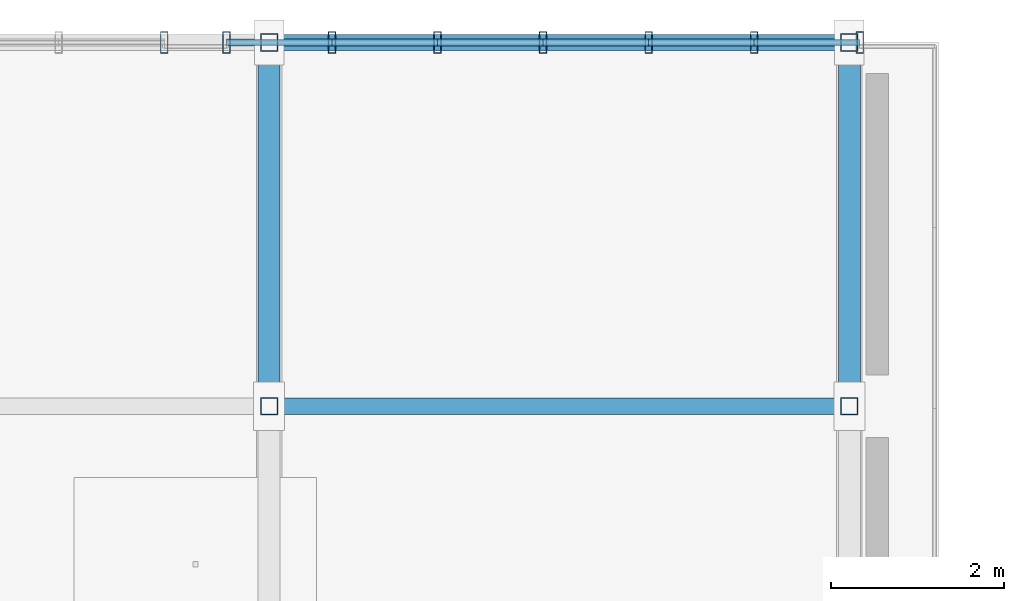
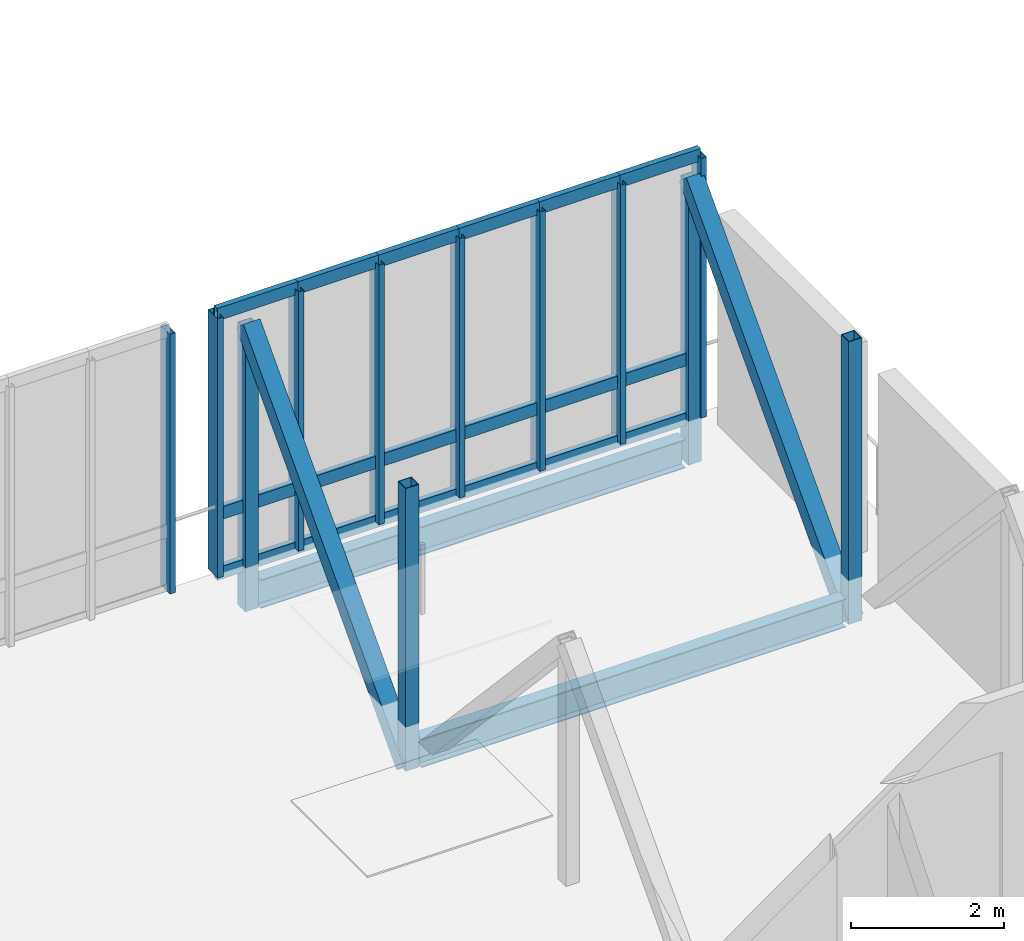
# One storey, part 72 of 139: 32 members, 2 beams, 2 elements without a shape of their own.
"""IFC4 building model written with IfcOpenShell, lengths in metres."""

from ifc_helpers import new_model, si_unit, derived_unit, direction, frame, origin, origin_2d, place, context, subcontext, project, spatial, hollow_rectangle, i_section, extrude, material, layer, layer_set, material_profile, profile_set, type_object, element, aggregate, save


model = new_model("IFC4")

# Units and contexts
model_context = context("Model", 3, precision=1e-05, world=origin(), true_north=direction((0.0, 1.0)))
body_context = subcontext(model_context, "Body", "Model", "MODEL_VIEW")
ifc_project = project(units=[si_unit("LENGTHUNIT", "METRE"), si_unit("AREAUNIT", "SQUARE_METRE"), si_unit("VOLUMEUNIT", "CUBIC_METRE"), si_unit("PLANEANGLEUNIT", "RADIAN"), si_unit("MASSUNIT", "GRAM", prefix="KILO"), derived_unit("THERMALTRANSMITTANCEUNIT", [(si_unit("MASSUNIT", "GRAM", prefix="KILO"), 1), (si_unit("TIMEUNIT", "SECOND"), -3), (si_unit("THERMODYNAMICTEMPERATUREUNIT", "KELVIN"), -1)])], contexts=[model_context])

# Site, building, storey
site_placement = place(None, origin())
site = spatial("IfcSite", under=ifc_project, at=site_placement, CompositionType="ELEMENT")
building_placement = place(site_placement, origin())
building = spatial("IfcBuilding", under=site, at=building_placement, Name="Makaiwela Harbour Ferry Terminal", CompositionType="ELEMENT")
storey_placement = place(building_placement, frame((0.0, 0.0, 5.10009765625)))
storey = spatial("IfcBuildingStorey", under=building, at=storey_placement, Name="L01", CompositionType="ELEMENT", Elevation=5.10009765625)

# Curtain wall, member
ifc_material_1 = material(Name="Marine anodised aluminium 6063-T6", Category="aluminium")
ifc_layer = layer(ifc_material_1, 0.199951171875)
ifc_layer_set = layer_set([ifc_layer], Name="Marine anodised aluminium 6063-T6")
curtain_wall_type = type_object("IfcCurtainWallType", Name="ENV-CW-20", PredefinedType="USERDEFINED", material=ifc_layer_set)
curtain_wall_1_placement = place(storey_placement, origin())
curtain_wall_1 = element("IfcCurtainWall", 1, at=curtain_wall_1_placement, inside=storey, type_object=curtain_wall_type, Name="Unitised Curtain Wall CWA-132", ObjectType="UNITIZED CURTAIN WALL", PredefinedType="USERDEFINED")
ifc_material_profile_1 = material_profile(ifc_material_1, hollow_rectangle(XDim=0.0849609375, YDim=0.25, WallThickness=0.0048828125, at=origin_2d()), Name="CWM-250X85")
ifc_profile_set_1 = profile_set([ifc_material_profile_1], Name="Marine anodised aluminium 6063-T6")
member_type_1 = type_object("IfcMemberType", Name="CW-MUL-250", PredefinedType="MULLION", material=ifc_profile_set_1)
member_1_placement = place(storey_placement, frame((96.239990234375, 116.0, 0.0), z_axis=(0.0, 0.0, 1.0), x_axis=(1.0, 0.0, 0.0)))
member_1 = element("IfcMember", 2, at=member_1_placement, type_object=member_type_1, Name="Curtain Wall Mullion CWA-132-7", PredefinedType="MULLION", context=body_context, shape_type="SweptSolid", body=[
    extrude(hollow_rectangle(XDim=0.0849609375, YDim=0.25, WallThickness=0.0048828125, at=origin_2d()), origin(), (0.0, 0.0, 1.0), 4.14990234375),
])
aggregate(curtain_wall_1, [member_1])

# Curtain wall, members
curtain_wall_2_placement = place(storey_placement, origin())
curtain_wall_2 = element("IfcCurtainWall", 3, at=curtain_wall_2_placement, inside=storey, type_object=curtain_wall_type, Name="Unitised Curtain Wall CWA-133", ObjectType="UNITIZED CURTAIN WALL", PredefinedType="USERDEFINED")
member_2_placement = place(storey_placement, frame((96.9599609375, 116.0, 0.0), z_axis=(0.0, 0.0, 1.0), x_axis=(1.0, 0.0, 0.0)))
member_2 = element("IfcMember", 4, at=member_2_placement, type_object=member_type_1, Name="Curtain Wall Mullion CWA-133-1", PredefinedType="MULLION", context=body_context, shape_type="SweptSolid", body=[
    extrude(hollow_rectangle(XDim=0.0849609375, YDim=0.25, WallThickness=0.0048828125, at=origin_2d()), origin(), (0.0, 0.0, 1.0), 4.14990234375),
])
member_3_placement = place(storey_placement, frame((98.17822265625, 116.0, 0.0), z_axis=(0.0, 0.0, 1.0), x_axis=(1.0, 0.0, 0.0)))
member_3 = element("IfcMember", 5, at=member_3_placement, type_object=member_type_1, Name="Curtain Wall Mullion CWA-133-2", PredefinedType="MULLION", context=body_context, shape_type="SweptSolid", body=[
    extrude(hollow_rectangle(XDim=0.0849609375, YDim=0.25, WallThickness=0.0048828125, at=origin_2d()), origin(), (0.0, 0.0, 1.0), 4.14990234375),
])
member_4_placement = place(storey_placement, frame((99.396728515625, 116.0, 0.0), z_axis=(0.0, 0.0, 1.0), x_axis=(1.0, 0.0, 0.0)))
member_4 = element("IfcMember", 6, at=member_4_placement, type_object=member_type_1, Name="Curtain Wall Mullion CWA-133-3", PredefinedType="MULLION", context=body_context, shape_type="SweptSolid", body=[
    extrude(hollow_rectangle(XDim=0.0849609375, YDim=0.25, WallThickness=0.0048828125, at=origin_2d()), origin(), (0.0, 0.0, 1.0), 4.14990234375),
])
member_5_placement = place(storey_placement, frame((100.614990234375, 116.0, 0.0), z_axis=(0.0, 0.0, 1.0), x_axis=(1.0, 0.0, 0.0)))
member_5 = element("IfcMember", 7, at=member_5_placement, type_object=member_type_1, Name="Curtain Wall Mullion CWA-133-4", PredefinedType="MULLION", context=body_context, shape_type="SweptSolid", body=[
    extrude(hollow_rectangle(XDim=0.0849609375, YDim=0.25, WallThickness=0.0048828125, at=origin_2d()), origin(), (0.0, 0.0, 1.0), 4.14990234375),
])
member_6_placement = place(storey_placement, frame((101.833251953125, 116.0, 0.0), z_axis=(0.0, 0.0, 1.0), x_axis=(1.0, 0.0, 0.0)))
member_6 = element("IfcMember", 8, at=member_6_placement, type_object=member_type_1, Name="Curtain Wall Mullion CWA-133-5", PredefinedType="MULLION", context=body_context, shape_type="SweptSolid", body=[
    extrude(hollow_rectangle(XDim=0.0849609375, YDim=0.25, WallThickness=0.0048828125, at=origin_2d()), origin(), (0.0, 0.0, 1.0), 4.14990234375),
])
member_7_placement = place(storey_placement, frame((103.0517578125, 116.0, 0.0), z_axis=(0.0, 0.0, 1.0), x_axis=(1.0, 0.0, 0.0)))
member_7 = element("IfcMember", 9, at=member_7_placement, type_object=member_type_1, Name="Curtain Wall Mullion CWA-133-6", PredefinedType="MULLION", context=body_context, shape_type="SweptSolid", body=[
    extrude(hollow_rectangle(XDim=0.0849609375, YDim=0.25, WallThickness=0.0048828125, at=origin_2d()), origin(), (0.0, 0.0, 1.0), 4.14990234375),
])
member_8_placement = place(storey_placement, frame((104.27001953125, 116.0, 0.0), z_axis=(0.0, 0.0, 1.0), x_axis=(1.0, 0.0, 0.0)))
member_8 = element("IfcMember", 10, at=member_8_placement, type_object=member_type_1, Name="Curtain Wall Mullion CWA-133-7", PredefinedType="MULLION", context=body_context, shape_type="SweptSolid", body=[
    extrude(hollow_rectangle(XDim=0.0849609375, YDim=0.25, WallThickness=0.0048828125, at=origin_2d()), origin(), (0.0, 0.0, 1.0), 4.14990234375),
])
ifc_material_profile_2 = material_profile(ifc_material_1, hollow_rectangle(XDim=0.0849609375, YDim=0.199951171875, WallThickness=0.0048828125, at=origin_2d()), Name="CWT-200X85")
ifc_profile_set_2 = profile_set([ifc_material_profile_2], Name="Marine anodised aluminium 6063-T6")
member_type_2 = type_object("IfcMemberType", Name="CW-TRN-200", PredefinedType="USERDEFINED", material=ifc_profile_set_2)
member_9_placement = place(storey_placement, frame((96.9599609375, 116.0, 0.0), z_axis=(1.0, 0.0, 0.0), x_axis=(0.0, 1.0, 0.0)))
member_9 = element("IfcMember", 11, at=member_9_placement, type_object=member_type_2, Name="Curtain Wall Transom CWA-133-1-1", ObjectType="TRANSOM", PredefinedType="USERDEFINED", context=body_context, shape_type="SweptSolid", body=[
    extrude(hollow_rectangle(XDim=0.0849609375, YDim=0.199951171875, WallThickness=0.0048828125, at=origin_2d()), origin(), (0.0, 0.0, 1.0), 1.21826171875),
])
member_10_placement = place(storey_placement, frame((96.9599609375, 116.0, 0.949951171875), z_axis=(1.0, 0.0, 0.0), x_axis=(0.0, 1.0, 0.0)))
member_10 = element("IfcMember", 12, at=member_10_placement, type_object=member_type_2, Name="Curtain Wall Transom CWA-133-1-2", ObjectType="TRANSOM", PredefinedType="USERDEFINED", context=body_context, shape_type="SweptSolid", body=[
    extrude(hollow_rectangle(XDim=0.0849609375, YDim=0.199951171875, WallThickness=0.0048828125, at=origin_2d()), origin(), (0.0, 0.0, 1.0), 1.21826171875),
])
member_11_placement = place(storey_placement, frame((96.9599609375, 116.0, 4.14990234375), z_axis=(1.0, 0.0, 0.0), x_axis=(0.0, 1.0, 0.0)))
member_11 = element("IfcMember", 13, at=member_11_placement, type_object=member_type_2, Name="Curtain Wall Transom CWA-133-1-3", ObjectType="TRANSOM", PredefinedType="USERDEFINED", context=body_context, shape_type="SweptSolid", body=[
    extrude(hollow_rectangle(XDim=0.0849609375, YDim=0.199951171875, WallThickness=0.0048828125, at=origin_2d()), origin(), (0.0, 0.0, 1.0), 1.21826171875),
])
member_12_placement = place(storey_placement, frame((98.17822265625, 116.0, 0.0), z_axis=(1.0, 0.0, 0.0), x_axis=(0.0, 1.0, 0.0)))
member_12 = element("IfcMember", 14, at=member_12_placement, type_object=member_type_2, Name="Curtain Wall Transom CWA-133-2-1", ObjectType="TRANSOM", PredefinedType="USERDEFINED", context=body_context, shape_type="SweptSolid", body=[
    extrude(hollow_rectangle(XDim=0.0849609375, YDim=0.199951171875, WallThickness=0.0048828125, at=origin_2d()), origin(), (0.0, 0.0, 1.0), 1.218505859375),
])
member_13_placement = place(storey_placement, frame((98.17822265625, 116.0, 0.949951171875), z_axis=(1.0, 0.0, 0.0), x_axis=(0.0, 1.0, 0.0)))
member_13 = element("IfcMember", 15, at=member_13_placement, type_object=member_type_2, Name="Curtain Wall Transom CWA-133-2-2", ObjectType="TRANSOM", PredefinedType="USERDEFINED", context=body_context, shape_type="SweptSolid", body=[
    extrude(hollow_rectangle(XDim=0.0849609375, YDim=0.199951171875, WallThickness=0.0048828125, at=origin_2d()), origin(), (0.0, 0.0, 1.0), 1.218505859375),
])
member_14_placement = place(storey_placement, frame((98.17822265625, 116.0, 4.14990234375), z_axis=(1.0, 0.0, 0.0), x_axis=(0.0, 1.0, 0.0)))
member_14 = element("IfcMember", 16, at=member_14_placement, type_object=member_type_2, Name="Curtain Wall Transom CWA-133-2-3", ObjectType="TRANSOM", PredefinedType="USERDEFINED", context=body_context, shape_type="SweptSolid", body=[
    extrude(hollow_rectangle(XDim=0.0849609375, YDim=0.199951171875, WallThickness=0.0048828125, at=origin_2d()), origin(), (0.0, 0.0, 1.0), 1.218505859375),
])
member_15_placement = place(storey_placement, frame((99.396728515625, 116.0, 0.0), z_axis=(1.0, 0.0, 0.0), x_axis=(0.0, 1.0, 0.0)))
member_15 = element("IfcMember", 17, at=member_15_placement, type_object=member_type_2, Name="Curtain Wall Transom CWA-133-3-1", ObjectType="TRANSOM", PredefinedType="USERDEFINED", context=body_context, shape_type="SweptSolid", body=[
    extrude(hollow_rectangle(XDim=0.0849609375, YDim=0.199951171875, WallThickness=0.0048828125, at=origin_2d()), origin(), (0.0, 0.0, 1.0), 1.21826171875),
])
member_16_placement = place(storey_placement, frame((99.396728515625, 116.0, 0.949951171875), z_axis=(1.0, 0.0, 0.0), x_axis=(0.0, 1.0, 0.0)))
member_16 = element("IfcMember", 18, at=member_16_placement, type_object=member_type_2, Name="Curtain Wall Transom CWA-133-3-2", ObjectType="TRANSOM", PredefinedType="USERDEFINED", context=body_context, shape_type="SweptSolid", body=[
    extrude(hollow_rectangle(XDim=0.0849609375, YDim=0.199951171875, WallThickness=0.0048828125, at=origin_2d()), origin(), (0.0, 0.0, 1.0), 1.21826171875),
])
member_17_placement = place(storey_placement, frame((99.396728515625, 116.0, 4.14990234375), z_axis=(1.0, 0.0, 0.0), x_axis=(0.0, 1.0, 0.0)))
member_17 = element("IfcMember", 19, at=member_17_placement, type_object=member_type_2, Name="Curtain Wall Transom CWA-133-3-3", ObjectType="TRANSOM", PredefinedType="USERDEFINED", context=body_context, shape_type="SweptSolid", body=[
    extrude(hollow_rectangle(XDim=0.0849609375, YDim=0.199951171875, WallThickness=0.0048828125, at=origin_2d()), origin(), (0.0, 0.0, 1.0), 1.21826171875),
])
member_18_placement = place(storey_placement, frame((100.614990234375, 116.0, 0.0), z_axis=(1.0, 0.0, 0.0), x_axis=(0.0, 1.0, 0.0)))
member_18 = element("IfcMember", 20, at=member_18_placement, type_object=member_type_2, Name="Curtain Wall Transom CWA-133-4-1", ObjectType="TRANSOM", PredefinedType="USERDEFINED", context=body_context, shape_type="SweptSolid", body=[
    extrude(hollow_rectangle(XDim=0.0849609375, YDim=0.199951171875, WallThickness=0.0048828125, at=origin_2d()), origin(), (0.0, 0.0, 1.0), 1.21826171875),
])
member_19_placement = place(storey_placement, frame((100.614990234375, 116.0, 0.949951171875), z_axis=(1.0, 0.0, 0.0), x_axis=(0.0, 1.0, 0.0)))
member_19 = element("IfcMember", 21, at=member_19_placement, type_object=member_type_2, Name="Curtain Wall Transom CWA-133-4-2", ObjectType="TRANSOM", PredefinedType="USERDEFINED", context=body_context, shape_type="SweptSolid", body=[
    extrude(hollow_rectangle(XDim=0.0849609375, YDim=0.199951171875, WallThickness=0.0048828125, at=origin_2d()), origin(), (0.0, 0.0, 1.0), 1.21826171875),
])
member_20_placement = place(storey_placement, frame((100.614990234375, 116.0, 4.14990234375), z_axis=(1.0, 0.0, 0.0), x_axis=(0.0, 1.0, 0.0)))
member_20 = element("IfcMember", 22, at=member_20_placement, type_object=member_type_2, Name="Curtain Wall Transom CWA-133-4-3", ObjectType="TRANSOM", PredefinedType="USERDEFINED", context=body_context, shape_type="SweptSolid", body=[
    extrude(hollow_rectangle(XDim=0.0849609375, YDim=0.199951171875, WallThickness=0.0048828125, at=origin_2d()), origin(), (0.0, 0.0, 1.0), 1.21826171875),
])
member_21_placement = place(storey_placement, frame((101.833251953125, 116.0, 0.0), z_axis=(1.0, 0.0, 0.0), x_axis=(0.0, 1.0, 0.0)))
member_21 = element("IfcMember", 23, at=member_21_placement, type_object=member_type_2, Name="Curtain Wall Transom CWA-133-5-1", ObjectType="TRANSOM", PredefinedType="USERDEFINED", context=body_context, shape_type="SweptSolid", body=[
    extrude(hollow_rectangle(XDim=0.0849609375, YDim=0.199951171875, WallThickness=0.0048828125, at=origin_2d()), origin(), (0.0, 0.0, 1.0), 1.218505859375),
])
member_22_placement = place(storey_placement, frame((101.833251953125, 116.0, 0.949951171875), z_axis=(1.0, 0.0, 0.0), x_axis=(0.0, 1.0, 0.0)))
member_22 = element("IfcMember", 24, at=member_22_placement, type_object=member_type_2, Name="Curtain Wall Transom CWA-133-5-2", ObjectType="TRANSOM", PredefinedType="USERDEFINED", context=body_context, shape_type="SweptSolid", body=[
    extrude(hollow_rectangle(XDim=0.0849609375, YDim=0.199951171875, WallThickness=0.0048828125, at=origin_2d()), origin(), (0.0, 0.0, 1.0), 1.218505859375),
])
member_23_placement = place(storey_placement, frame((101.833251953125, 116.0, 4.14990234375), z_axis=(1.0, 0.0, 0.0), x_axis=(0.0, 1.0, 0.0)))
member_23 = element("IfcMember", 25, at=member_23_placement, type_object=member_type_2, Name="Curtain Wall Transom CWA-133-5-3", ObjectType="TRANSOM", PredefinedType="USERDEFINED", context=body_context, shape_type="SweptSolid", body=[
    extrude(hollow_rectangle(XDim=0.0849609375, YDim=0.199951171875, WallThickness=0.0048828125, at=origin_2d()), origin(), (0.0, 0.0, 1.0), 1.218505859375),
])
member_24_placement = place(storey_placement, frame((103.0517578125, 116.0, 0.0), z_axis=(1.0, 0.0, 0.0), x_axis=(0.0, 1.0, 0.0)))
member_24 = element("IfcMember", 26, at=member_24_placement, type_object=member_type_2, Name="Curtain Wall Transom CWA-133-6-1", ObjectType="TRANSOM", PredefinedType="USERDEFINED", context=body_context, shape_type="SweptSolid", body=[
    extrude(hollow_rectangle(XDim=0.0849609375, YDim=0.199951171875, WallThickness=0.0048828125, at=origin_2d()), origin(), (0.0, 0.0, 1.0), 1.21826171875),
])
member_25_placement = place(storey_placement, frame((103.0517578125, 116.0, 0.949951171875), z_axis=(1.0, 0.0, 0.0), x_axis=(0.0, 1.0, 0.0)))
member_25 = element("IfcMember", 27, at=member_25_placement, type_object=member_type_2, Name="Curtain Wall Transom CWA-133-6-2", ObjectType="TRANSOM", PredefinedType="USERDEFINED", context=body_context, shape_type="SweptSolid", body=[
    extrude(hollow_rectangle(XDim=0.0849609375, YDim=0.199951171875, WallThickness=0.0048828125, at=origin_2d()), origin(), (0.0, 0.0, 1.0), 1.21826171875),
])
member_26_placement = place(storey_placement, frame((103.0517578125, 116.0, 4.14990234375), z_axis=(1.0, 0.0, 0.0), x_axis=(0.0, 1.0, 0.0)))
member_26 = element("IfcMember", 28, at=member_26_placement, type_object=member_type_2, Name="Curtain Wall Transom CWA-133-6-3", ObjectType="TRANSOM", PredefinedType="USERDEFINED", context=body_context, shape_type="SweptSolid", body=[
    extrude(hollow_rectangle(XDim=0.0849609375, YDim=0.199951171875, WallThickness=0.0048828125, at=origin_2d()), origin(), (0.0, 0.0, 1.0), 1.21826171875),
])
aggregate(curtain_wall_2, [member_2, member_3, member_4, member_5, member_6, member_7, member_8, member_9, member_10, member_11, member_12, member_13, member_14, member_15, member_16, member_17, member_18, member_19, member_20, member_21, member_22, member_23, member_24, member_25, member_26])

# Members
ifc_material_2 = material(Name="Steel ASTM A500 Grade C", Category="steel")
ifc_material_profile_3 = material_profile(ifc_material_2, hollow_rectangle(XDim=0.25390625, YDim=0.25390625, WallThickness=0.0146484375, at=origin_2d()), Name="HSS10X10X5/8")
ifc_profile_set_3 = profile_set([ifc_material_profile_3], Name="Steel ASTM A500 Grade C")
member_type_3 = type_object("IfcMemberType", Name="STR-BRC-HSS10", PredefinedType="BRACE", material=ifc_profile_set_3)
for number, where, z_axis, x_axis, name in (
    (29, (97.449951171875, 111.800048828125, -0.70556640625), (0.0, 0.680693892275, 0.732567966144), (-1.0, 0.0, 0.0), "Structural Member BR-01"),
    (30, (104.14990234375, 111.800048828125, -0.70556640625), (0.0, 0.680693892275, 0.732567966144), (-1.0, 0.0, 0.0), "Structural Member BR-01"),
):
    element("IfcMember", number, at=place(storey_placement, frame(where, z_axis=z_axis, x_axis=x_axis)), inside=storey, type_object=member_type_3, Name=name, PredefinedType="BRACE", context=body_context, shape_type="SweptSolid", body=[
        extrude(hollow_rectangle(XDim=0.25390625, YDim=0.25390625, WallThickness=0.0146484375, at=origin_2d()), origin(), (0.0, 0.0, 1.0), 6.170166015625),
    ])

# Beams
ifc_material_3 = material(Name="Steel ASTM A992 Grade 50", Category="steel")
ifc_material_profile_4 = material_profile(ifc_material_3, i_section(OverallWidth=0.18994140625, OverallDepth=0.45703125, WebThickness=0.009033203125, FlangeThickness=0.014404296875, at=origin_2d()), Name="W18X50")
ifc_profile_set_4 = profile_set([ifc_material_profile_4], Name="Steel ASTM A992 Grade 50")
beam_type = type_object("IfcBeamType", Name="STR-JST-W18X50", PredefinedType="JOIST", material=ifc_profile_set_4)
for number, where, z_axis, x_axis, name in (
    (31, (97.591064453125, 111.800048828125, -0.508544921875), (1.0, 0.0, 0.0), (0.0, 1.0, 0.0), "Structural Beam J-01"),
    (32, (97.591064453125, 116.0, -0.508544921875), (1.0, 0.0, 0.0), (0.0, 1.0, 0.0), "Structural Beam J-01"),
):
    element("IfcBeam", number, at=place(storey_placement, frame(where, z_axis=z_axis, x_axis=x_axis)), inside=storey, type_object=beam_type, Name=name, PredefinedType="JOIST", context=body_context, shape_type="SweptSolid", body=[
        extrude(i_section(OverallWidth=0.18994140625, OverallDepth=0.45703125, WebThickness=0.009033203125, FlangeThickness=0.014404296875, at=origin_2d()), origin(), (0.0, 0.0, 1.0), 6.41796875),
    ])

# Members
ifc_material_profile_5 = material_profile(ifc_material_2, hollow_rectangle(XDim=0.202880859375, YDim=0.202880859375, WallThickness=0.01171875, at=origin_2d()), Name="HSS8X8X1/2")
ifc_profile_set_5 = profile_set([ifc_material_profile_5], Name="Steel ASTM A500 Grade C")
member_type_4 = type_object("IfcMemberType", Name="STR-PST-HSS8", PredefinedType="POST", material=ifc_profile_set_5)
for number, where, z_axis, x_axis, name in (
    (33, (97.449951171875, 111.800048828125, -0.70556640625), (0.0, 0.0, 1.0), (1.0, 0.0, 0.0), "Structural Member PS-01"),
    (34, (97.449951171875, 116.0, -0.70556640625), (0.0, 0.0, 1.0), (1.0, 0.0, 0.0), "Structural Member PS-01"),
    (35, (104.14990234375, 111.800048828125, -0.70556640625), (0.0, 0.0, 1.0), (1.0, 0.0, 0.0), "Structural Member PS-01"),
    (36, (104.14990234375, 116.0, -0.70556640625), (0.0, 0.0, 1.0), (1.0, 0.0, 0.0), "Structural Member PS-01"),
):
    element("IfcMember", number, at=place(storey_placement, frame(where, z_axis=z_axis, x_axis=x_axis)), inside=storey, type_object=member_type_4, Name=name, PredefinedType="POST", context=body_context, shape_type="SweptSolid", body=[
        extrude(hollow_rectangle(XDim=0.202880859375, YDim=0.202880859375, WallThickness=0.01171875, at=origin_2d()), origin(), (0.0, 0.0, 1.0), 4.52001953125),
    ])

save(model, "model.ifc")
